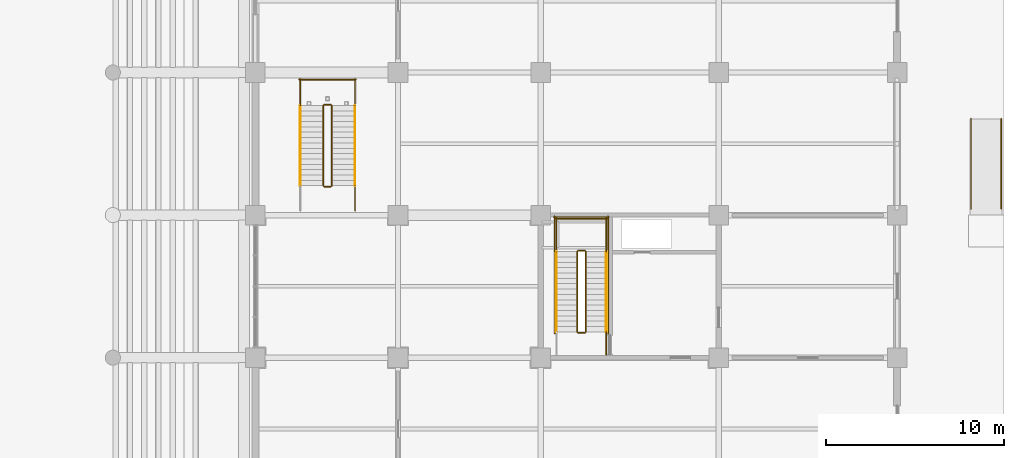
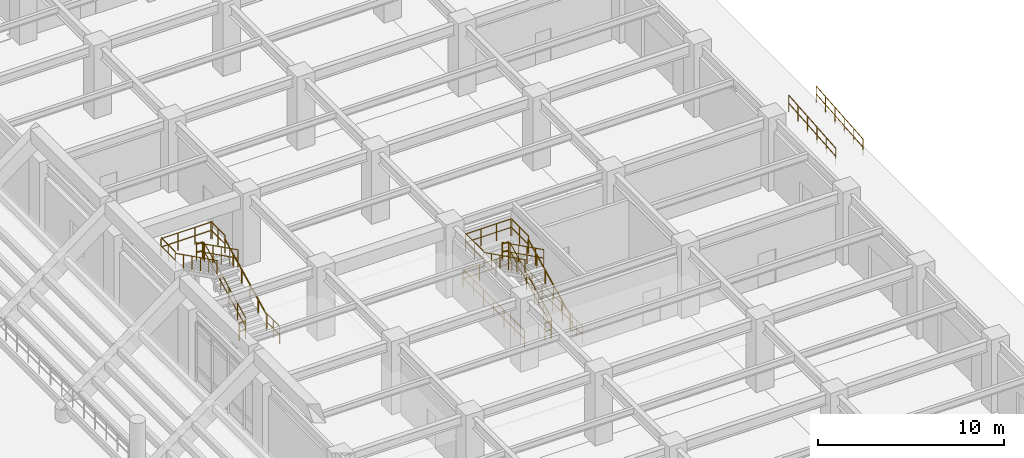
# One storey, part 119 of 125: 25 railings.
"""IFC4 building model written with IfcOpenShell, lengths in metres."""

from ifc_helpers import new_model, si_unit, direction, frame, origin, origin_2d, place, context, subcontext, project, spatial, circle, extrude, material, type_object, element, save


model = new_model("IFC4")

# Units and contexts
model_context = context("Model", 3, precision=1e-05, world=origin(), true_north=direction((0.0, 1.0)))
body_context = subcontext(model_context, "Body", "Model", "MODEL_VIEW")
ifc_project = project(units=[si_unit("LENGTHUNIT", "METRE"), si_unit("AREAUNIT", "SQUARE_METRE"), si_unit("VOLUMEUNIT", "CUBIC_METRE"), si_unit("PLANEANGLEUNIT", "RADIAN"), si_unit("MASSUNIT", "GRAM", prefix="KILO")], contexts=[model_context])

# Site, building, storey
site_placement = place(None, origin())
site = spatial("IfcSite", under=ifc_project, at=site_placement, CompositionType="ELEMENT")
building_placement = place(site_placement, origin())
building = spatial("IfcBuilding", under=site, at=building_placement, Name="Haebicheon Civic Stadium", CompositionType="ELEMENT")
storey_placement = place(building_placement, origin())
storey = spatial("IfcBuildingStorey", under=building, at=storey_placement, Name="L01", CompositionType="ELEMENT", Elevation=0.0)

# Railings
ifc_material_1 = material(Name="Stainless steel 316 and laminated glass", Category="steel")
railing_type_1 = type_object("IfcRailingType", Name="RL-BAL-1200", PredefinedType="BALUSTRADE", material=ifc_material_1)
for number, where, name in (
    (1, (240.14990234375, 112.360107421875, -0.419921875), "Ramp handrail guard RMP-05 L"),
    (2, (241.85009765625, 112.360107421875, -0.419921875), "Ramp handrail guard RMP-05 R"),
):
    element("IfcRailing", number, at=place(storey_placement, frame(where)), inside=storey, type_object=railing_type_1, material=ifc_material_1, Name=name, PredefinedType="BALUSTRADE", context=body_context, shape_type="SweptSolid", body=[
        extrude(circle(Radius=0.02392578125, at=origin_2d()), frame((0.0, 0.0, 1.076171875), z_axis=(0.0, 0.996546756972, 0.083033494259), x_axis=(-1.0, 0.0, 0.0)), (0.0, 0.0, 1.0), 5.057373046875),
        extrude(circle(Radius=0.02392578125, at=origin_2d()), frame((0.0, 0.0, 0.550048828125), z_axis=(0.0, 0.996546756972, 0.083033494259), x_axis=(-1.0, 0.0, 0.0)), (0.0, 0.0, 1.0), 5.057373046875),
        extrude(circle(Radius=0.02099609375, at=origin_2d()), origin(), (0.0, 0.0, 1.0), 1.052001953125),
        extrude(circle(Radius=0.02099609375, at=origin_2d()), frame((0.0, 1.008056640625, 0.083984375)), (0.0, 0.0, 1.0), 1.052001953125),
        extrude(circle(Radius=0.02099609375, at=origin_2d()), frame((0.0, 2.015869140625, 0.16796875)), (0.0, 0.0, 1.0), 1.052001953125),
        extrude(circle(Radius=0.02099609375, at=origin_2d()), frame((0.0, 3.02392578125, 0.251953125)), (0.0, 0.0, 1.0), 1.052001953125),
        extrude(circle(Radius=0.02099609375, at=origin_2d()), frame((0.0, 4.03173828125, 0.3359375)), (0.0, 0.0, 1.0), 1.052001953125),
        extrude(circle(Radius=0.02099609375, at=origin_2d()), frame((0.0, 5.039794921875, 0.419921875)), (0.0, 0.0, 1.0), 1.052001953125),
    ])
ifc_material_2 = material(Name="Galvanised painted steel SM355", Category="steel")
railing_type_2 = type_object("IfcRailingType", Name="RL-GRD-1150", PredefinedType="GUARDRAIL", material=ifc_material_2)
railing_1_placement = place(storey_placement, frame((218.530029296875, 105.449951171875, 0.14990234375)))
element("IfcRailing", 3, at=railing_1_placement, inside=storey, type_object=railing_type_2, material=ifc_material_2, Name="L01 ST-13 stair guard 1", PredefinedType="GUARDRAIL", context=body_context, shape_type="SweptSolid", body=[
    extrude(circle(Radius=0.02392578125, at=origin_2d()), frame((0.0, 0.0, 1.1259765625), z_axis=(0.0, 0.894427191, 0.4472135955), x_axis=(-1.0, 0.0, 0.0)), (0.0, 0.0, 1.0), 5.03125),
    extrude(circle(Radius=0.02392578125, at=origin_2d()), frame((0.0, 0.0, 0.574951171875), z_axis=(0.0, 0.894427191, 0.4472135955), x_axis=(-1.0, 0.0, 0.0)), (0.0, 0.0, 1.0), 5.03125),
    extrude(circle(Radius=0.02099609375, at=origin_2d()), origin(), (0.0, 0.0, 1.0), 1.101806640625),
    extrude(circle(Radius=0.02099609375, at=origin_2d()), frame((0.0, 0.89990234375, 0.449951171875)), (0.0, 0.0, 1.0), 1.101806640625),
    extrude(circle(Radius=0.02099609375, at=origin_2d()), frame((0.0, 1.800048828125, 0.89990234375)), (0.0, 0.0, 1.0), 1.101806640625),
    extrude(circle(Radius=0.02099609375, at=origin_2d()), frame((0.0, 2.699951171875, 1.35009765625)), (0.0, 0.0, 1.0), 1.101806640625),
    extrude(circle(Radius=0.02099609375, at=origin_2d()), frame((0.0, 3.60009765625, 1.800048828125)), (0.0, 0.0, 1.0), 1.101806640625),
    extrude(circle(Radius=0.02099609375, at=origin_2d()), frame((0.0, 4.5, 2.25)), (0.0, 0.0, 1.0), 1.101806640625),
])
railing_2_placement = place(storey_placement, frame((218.47998046875, 110.0, 2.39990234375)))
element("IfcRailing", 4, at=railing_2_placement, inside=storey, type_object=railing_type_2, material=ifc_material_2, Name="L01 ST-13 stair guard 2", PredefinedType="GUARDRAIL", context=body_context, shape_type="SweptSolid", body=[
    extrude(circle(Radius=0.02392578125, at=origin_2d()), frame((0.0, 0.0, 1.1259765625), z_axis=(-1.0, 0.0, 0.0), x_axis=(0.0, -1.0, 0.0)), (0.0, 0.0, 1.0), 0.3798828125),
    extrude(circle(Radius=0.02392578125, at=origin_2d()), frame((0.0, 0.0, 0.574951171875), z_axis=(-1.0, 0.0, 0.0), x_axis=(0.0, -1.0, 0.0)), (0.0, 0.0, 1.0), 0.3798828125),
    extrude(circle(Radius=0.02099609375, at=origin_2d()), origin(), (0.0, 0.0, 1.0), 1.101806640625),
    extrude(circle(Radius=0.02099609375, at=origin_2d()), frame((-0.3798828125, 0.0, 0.0)), (0.0, 0.0, 1.0), 1.101806640625),
])
for number, where, name in (
    (5, (219.68994140625, 109.949951171875, 2.39990234375), "L01 ST-13 stair guard 3"),
    (6, (216.889892578125, 109.949951171875, 2.39990234375), "L01 ST-13 stair guard 4"),
):
    element("IfcRailing", number, at=place(storey_placement, frame(where)), inside=storey, type_object=railing_type_2, material=ifc_material_2, Name=name, PredefinedType="GUARDRAIL", context=body_context, shape_type="SweptSolid", body=[
        extrude(circle(Radius=0.02392578125, at=origin_2d()), frame((0.0, 0.0, 1.1259765625), z_axis=(0.0, 1.0, 0.0), x_axis=(-1.0, 0.0, 0.0)), (0.0, 0.0, 1.0), 1.89013671875),
        extrude(circle(Radius=0.02392578125, at=origin_2d()), frame((0.0, 0.0, 0.574951171875), z_axis=(0.0, 1.0, 0.0), x_axis=(-1.0, 0.0, 0.0)), (0.0, 0.0, 1.0), 1.89013671875),
        extrude(circle(Radius=0.02099609375, at=origin_2d()), origin(), (0.0, 0.0, 1.0), 1.101806640625),
        extrude(circle(Radius=0.02099609375, at=origin_2d()), frame((0.0, 0.945068359375, 0.0)), (0.0, 0.0, 1.0), 1.101806640625),
        extrude(circle(Radius=0.02099609375, at=origin_2d()), frame((0.0, 1.89013671875, 0.0)), (0.0, 0.0, 1.0), 1.101806640625),
    ])
railing_3_placement = place(storey_placement, frame((219.739990234375, 111.7900390625, 2.39990234375)))
element("IfcRailing", 7, at=railing_3_placement, inside=storey, type_object=railing_type_2, material=ifc_material_2, Name="L01 ST-13 stair guard 5", PredefinedType="GUARDRAIL", context=body_context, shape_type="SweptSolid", body=[
    extrude(circle(Radius=0.02392578125, at=origin_2d()), frame((0.0, 0.0, 1.1259765625), z_axis=(-1.0, 0.0, 0.0), x_axis=(0.0, -1.0, 0.0)), (0.0, 0.0, 1.0), 2.89990234375),
    extrude(circle(Radius=0.02392578125, at=origin_2d()), frame((0.0, 0.0, 0.574951171875), z_axis=(-1.0, 0.0, 0.0), x_axis=(0.0, -1.0, 0.0)), (0.0, 0.0, 1.0), 2.89990234375),
    extrude(circle(Radius=0.02099609375, at=origin_2d()), origin(), (0.0, 0.0, 1.0), 1.101806640625),
    extrude(circle(Radius=0.02099609375, at=origin_2d()), frame((-0.966552734375, 0.0, 0.0)), (0.0, 0.0, 1.0), 1.101806640625),
    extrude(circle(Radius=0.02099609375, at=origin_2d()), frame((-1.933349609375, 0.0, 0.0)), (0.0, 0.0, 1.0), 1.101806640625),
    extrude(circle(Radius=0.02099609375, at=origin_2d()), frame((-2.89990234375, 0.0, 0.0)), (0.0, 0.0, 1.0), 1.101806640625),
])
railing_4_placement = place(storey_placement, frame((218.050048828125, 109.949951171875, 2.550048828125)))
element("IfcRailing", 8, at=railing_4_placement, inside=storey, type_object=railing_type_2, material=ifc_material_2, Name="L01 ST-13 stair guard 6", PredefinedType="GUARDRAIL", context=body_context, shape_type="SweptSolid", body=[
    extrude(circle(Radius=0.02392578125, at=origin_2d()), frame((0.0, 0.0, 1.1259765625), z_axis=(0.0, -0.894427191, 0.4472135955), x_axis=(1.0, 0.0, 0.0)), (0.0, 0.0, 1.0), 5.03125),
    extrude(circle(Radius=0.02392578125, at=origin_2d()), frame((0.0, 0.0, 0.574951171875), z_axis=(0.0, -0.894427191, 0.4472135955), x_axis=(1.0, 0.0, 0.0)), (0.0, 0.0, 1.0), 5.03125),
    extrude(circle(Radius=0.02099609375, at=origin_2d()), origin(), (0.0, 0.0, 1.0), 1.101806640625),
    extrude(circle(Radius=0.02099609375, at=origin_2d()), frame((0.0, -0.89990234375, 0.449951171875)), (0.0, 0.0, 1.0), 1.101806640625),
    extrude(circle(Radius=0.02099609375, at=origin_2d()), frame((0.0, -1.800048828125, 0.89990234375)), (0.0, 0.0, 1.0), 1.101806640625),
    extrude(circle(Radius=0.02099609375, at=origin_2d()), frame((0.0, -2.699951171875, 1.35009765625)), (0.0, 0.0, 1.0), 1.101806640625),
    extrude(circle(Radius=0.02099609375, at=origin_2d()), frame((0.0, -3.60009765625, 1.800048828125)), (0.0, 0.0, 1.0), 1.101806640625),
    extrude(circle(Radius=0.02099609375, at=origin_2d()), frame((0.0, -4.5, 2.25)), (0.0, 0.0, 1.0), 1.101806640625),
])
railing_5_placement = place(storey_placement, frame((218.47998046875, 105.39990234375, 0.0)))
element("IfcRailing", 9, at=railing_5_placement, inside=storey, type_object=railing_type_2, material=ifc_material_2, Name="L01 ST-13 stair guard 7", PredefinedType="GUARDRAIL", context=body_context, shape_type="SweptSolid", body=[
    extrude(circle(Radius=0.02392578125, at=origin_2d()), frame((0.0, 0.0, 1.1259765625), z_axis=(-1.0, 0.0, 0.0), x_axis=(0.0, -1.0, 0.0)), (0.0, 0.0, 1.0), 0.3798828125),
    extrude(circle(Radius=0.02392578125, at=origin_2d()), frame((0.0, 0.0, 0.574951171875), z_axis=(-1.0, 0.0, 0.0), x_axis=(0.0, -1.0, 0.0)), (0.0, 0.0, 1.0), 0.3798828125),
    extrude(circle(Radius=0.02099609375, at=origin_2d()), origin(), (0.0, 0.0, 1.0), 1.101806640625),
    extrude(circle(Radius=0.02099609375, at=origin_2d()), frame((-0.3798828125, 0.0, 0.0)), (0.0, 0.0, 1.0), 1.101806640625),
])
railing_6_placement = place(storey_placement, frame((219.68994140625, 104.159912109375, 0.0)))
element("IfcRailing", 10, at=railing_6_placement, inside=storey, type_object=railing_type_2, material=ifc_material_2, Name="L01 ST-13 stair guard 8", PredefinedType="GUARDRAIL", context=body_context, shape_type="SweptSolid", body=[
    extrude(circle(Radius=0.02392578125, at=origin_2d()), frame((0.0, 0.0, 1.1259765625), z_axis=(0.0, 1.0, 0.0), x_axis=(-1.0, 0.0, 0.0)), (0.0, 0.0, 1.0), 1.2900390625),
    extrude(circle(Radius=0.02392578125, at=origin_2d()), frame((0.0, 0.0, 0.574951171875), z_axis=(0.0, 1.0, 0.0), x_axis=(-1.0, 0.0, 0.0)), (0.0, 0.0, 1.0), 1.2900390625),
    extrude(circle(Radius=0.02099609375, at=origin_2d()), origin(), (0.0, 0.0, 1.0), 1.101806640625),
    extrude(circle(Radius=0.02099609375, at=origin_2d()), frame((0.0, 0.64501953125, 0.0)), (0.0, 0.0, 1.0), 1.101806640625),
    extrude(circle(Radius=0.02099609375, at=origin_2d()), frame((0.0, 1.2900390625, 0.0)), (0.0, 0.0, 1.0), 1.101806640625),
])
for number, where, name in (
    (11, (219.7900390625, 105.35009765625, 0.0), "L01 ST-13 stair guard 10"),
    (12, (216.7900390625, 105.35009765625, 0.0), "L01 ST-13 stair guard 11"),
):
    element("IfcRailing", number, at=place(storey_placement, frame(where)), inside=storey, type_object=railing_type_2, material=ifc_material_2, Name=name, PredefinedType="GUARDRAIL", context=body_context, shape_type="SweptSolid", body=[
        extrude(circle(Radius=0.02392578125, at=origin_2d()), frame((0.0, 0.0, 1.1259765625), z_axis=(0.0, 1.0, 0.0), x_axis=(-1.0, 0.0, 0.0)), (0.0, 0.0, 1.0), 6.58984375),
        extrude(circle(Radius=0.02392578125, at=origin_2d()), frame((0.0, 0.0, 0.574951171875), z_axis=(0.0, 1.0, 0.0), x_axis=(-1.0, 0.0, 0.0)), (0.0, 0.0, 1.0), 6.58984375),
        extrude(circle(Radius=0.02099609375, at=origin_2d()), origin(), (0.0, 0.0, 1.0), 1.101806640625),
        extrude(circle(Radius=0.02099609375, at=origin_2d()), frame((0.0, 1.098388671875, 0.0)), (0.0, 0.0, 1.0), 1.101806640625),
        extrude(circle(Radius=0.02099609375, at=origin_2d()), frame((0.0, 2.196533203125, 0.0)), (0.0, 0.0, 1.0), 1.101806640625),
        extrude(circle(Radius=0.02099609375, at=origin_2d()), frame((0.0, 3.294921875, 0.0)), (0.0, 0.0, 1.0), 1.101806640625),
        extrude(circle(Radius=0.02099609375, at=origin_2d()), frame((0.0, 4.393310546875, 0.0)), (0.0, 0.0, 1.0), 1.101806640625),
        extrude(circle(Radius=0.02099609375, at=origin_2d()), frame((0.0, 5.491455078125, 0.0)), (0.0, 0.0, 1.0), 1.101806640625),
        extrude(circle(Radius=0.02099609375, at=origin_2d()), frame((0.0, 6.58984375, 0.0)), (0.0, 0.0, 1.0), 1.101806640625),
    ])
railing_7_placement = place(storey_placement, frame((219.840087890625, 111.889892578125, 0.0)))
element("IfcRailing", 13, at=railing_7_placement, inside=storey, type_object=railing_type_2, material=ifc_material_2, Name="L01 ST-13 stair guard 12", PredefinedType="GUARDRAIL", context=body_context, shape_type="SweptSolid", body=[
    extrude(circle(Radius=0.02392578125, at=origin_2d()), frame((0.0, 0.0, 1.1259765625), z_axis=(-1.0, 0.0, 0.0), x_axis=(0.0, -1.0, 0.0)), (0.0, 0.0, 1.0), 3.10009765625),
    extrude(circle(Radius=0.02392578125, at=origin_2d()), frame((0.0, 0.0, 0.574951171875), z_axis=(-1.0, 0.0, 0.0), x_axis=(0.0, -1.0, 0.0)), (0.0, 0.0, 1.0), 3.10009765625),
    extrude(circle(Radius=0.02099609375, at=origin_2d()), origin(), (0.0, 0.0, 1.0), 1.101806640625),
    extrude(circle(Radius=0.02099609375, at=origin_2d()), frame((-1.033447265625, 0.0, 0.0)), (0.0, 0.0, 1.0), 1.101806640625),
    extrude(circle(Radius=0.02099609375, at=origin_2d()), frame((-2.066650390625, 0.0, 0.0)), (0.0, 0.0, 1.0), 1.101806640625),
    extrude(circle(Radius=0.02099609375, at=origin_2d()), frame((-3.10009765625, 0.0, 0.0)), (0.0, 0.0, 1.0), 1.101806640625),
])
railing_8_placement = place(storey_placement, frame((204.2900390625, 113.64990234375, 0.14990234375)))
element("IfcRailing", 14, at=railing_8_placement, inside=storey, type_object=railing_type_2, material=ifc_material_2, Name="L01 VM-12 stair guard 1", PredefinedType="GUARDRAIL", context=body_context, shape_type="SweptSolid", body=[
    extrude(circle(Radius=0.02392578125, at=origin_2d()), frame((0.0, 0.0, 1.1259765625), z_axis=(0.0, 0.894427191, 0.4472135955), x_axis=(-1.0, 0.0, 0.0)), (0.0, 0.0, 1.0), 5.03125),
    extrude(circle(Radius=0.02392578125, at=origin_2d()), frame((0.0, 0.0, 0.574951171875), z_axis=(0.0, 0.894427191, 0.4472135955), x_axis=(-1.0, 0.0, 0.0)), (0.0, 0.0, 1.0), 5.03125),
    extrude(circle(Radius=0.02099609375, at=origin_2d()), origin(), (0.0, 0.0, 1.0), 1.101806640625),
    extrude(circle(Radius=0.02099609375, at=origin_2d()), frame((0.0, 0.89990234375, 0.449951171875)), (0.0, 0.0, 1.0), 1.101806640625),
    extrude(circle(Radius=0.02099609375, at=origin_2d()), frame((0.0, 1.800048828125, 0.89990234375)), (0.0, 0.0, 1.0), 1.101806640625),
    extrude(circle(Radius=0.02099609375, at=origin_2d()), frame((0.0, 2.699951171875, 1.35009765625)), (0.0, 0.0, 1.0), 1.101806640625),
    extrude(circle(Radius=0.02099609375, at=origin_2d()), frame((0.0, 3.60009765625, 1.800048828125)), (0.0, 0.0, 1.0), 1.101806640625),
    extrude(circle(Radius=0.02099609375, at=origin_2d()), frame((0.0, 4.5, 2.25)), (0.0, 0.0, 1.0), 1.101806640625),
])
railing_9_placement = place(storey_placement, frame((204.239990234375, 118.199951171875, 2.39990234375)))
element("IfcRailing", 15, at=railing_9_placement, inside=storey, type_object=railing_type_2, material=ifc_material_2, Name="L01 VM-12 stair guard 2", PredefinedType="GUARDRAIL", context=body_context, shape_type="SweptSolid", body=[
    extrude(circle(Radius=0.02392578125, at=origin_2d()), frame((0.0, 0.0, 1.1259765625), z_axis=(-1.0, 0.0, 0.0), x_axis=(0.0, -1.0, 0.0)), (0.0, 0.0, 1.0), 0.3798828125),
    extrude(circle(Radius=0.02392578125, at=origin_2d()), frame((0.0, 0.0, 0.574951171875), z_axis=(-1.0, 0.0, 0.0), x_axis=(0.0, -1.0, 0.0)), (0.0, 0.0, 1.0), 0.3798828125),
    extrude(circle(Radius=0.02099609375, at=origin_2d()), origin(), (0.0, 0.0, 1.0), 1.101806640625),
    extrude(circle(Radius=0.02099609375, at=origin_2d()), frame((-0.3798828125, 0.0, 0.0)), (0.0, 0.0, 1.0), 1.101806640625),
])
for number, where, name in (
    (16, (205.590087890625, 118.14990234375, 2.39990234375), "L01 VM-12 stair guard 3"),
    (17, (202.510009765625, 118.14990234375, 2.39990234375), "L01 VM-12 stair guard 4"),
):
    element("IfcRailing", number, at=place(storey_placement, frame(where)), inside=storey, type_object=railing_type_2, material=ifc_material_2, Name=name, PredefinedType="GUARDRAIL", context=body_context, shape_type="SweptSolid", body=[
        extrude(circle(Radius=0.02392578125, at=origin_2d()), frame((0.0, 0.0, 1.1259765625), z_axis=(0.0, 1.0, 0.0), x_axis=(-1.0, 0.0, 0.0)), (0.0, 0.0, 1.0), 1.5),
        extrude(circle(Radius=0.02392578125, at=origin_2d()), frame((0.0, 0.0, 0.574951171875), z_axis=(0.0, 1.0, 0.0), x_axis=(-1.0, 0.0, 0.0)), (0.0, 0.0, 1.0), 1.5),
        extrude(circle(Radius=0.02099609375, at=origin_2d()), origin(), (0.0, 0.0, 1.0), 1.101806640625),
        extrude(circle(Radius=0.02099609375, at=origin_2d()), frame((0.0, 0.75, 0.0)), (0.0, 0.0, 1.0), 1.101806640625),
        extrude(circle(Radius=0.02099609375, at=origin_2d()), frame((0.0, 1.5, 0.0)), (0.0, 0.0, 1.0), 1.101806640625),
    ])
railing_10_placement = place(storey_placement, frame((205.639892578125, 119.60009765625, 2.39990234375)))
element("IfcRailing", 18, at=railing_10_placement, inside=storey, type_object=railing_type_2, material=ifc_material_2, Name="L01 VM-12 stair guard 5", PredefinedType="GUARDRAIL", context=body_context, shape_type="SweptSolid", body=[
    extrude(circle(Radius=0.02392578125, at=origin_2d()), frame((0.0, 0.0, 1.1259765625), z_axis=(-1.0, 0.0, 0.0), x_axis=(0.0, -1.0, 0.0)), (0.0, 0.0, 1.0), 3.179931640625),
    extrude(circle(Radius=0.02392578125, at=origin_2d()), frame((0.0, 0.0, 0.574951171875), z_axis=(-1.0, 0.0, 0.0), x_axis=(0.0, -1.0, 0.0)), (0.0, 0.0, 1.0), 3.179931640625),
    extrude(circle(Radius=0.02099609375, at=origin_2d()), origin(), (0.0, 0.0, 1.0), 1.101806640625),
    extrude(circle(Radius=0.02099609375, at=origin_2d()), frame((-1.06005859375, 0.0, 0.0)), (0.0, 0.0, 1.0), 1.101806640625),
    extrude(circle(Radius=0.02099609375, at=origin_2d()), frame((-2.119873046875, 0.0, 0.0)), (0.0, 0.0, 1.0), 1.101806640625),
    extrude(circle(Radius=0.02099609375, at=origin_2d()), frame((-3.179931640625, 0.0, 0.0)), (0.0, 0.0, 1.0), 1.101806640625),
])
railing_11_placement = place(storey_placement, frame((203.81005859375, 118.14990234375, 2.550048828125)))
element("IfcRailing", 19, at=railing_11_placement, inside=storey, type_object=railing_type_2, material=ifc_material_2, Name="L01 VM-12 stair guard 6", PredefinedType="GUARDRAIL", context=body_context, shape_type="SweptSolid", body=[
    extrude(circle(Radius=0.02392578125, at=origin_2d()), frame((0.0, 0.0, 1.1259765625), z_axis=(0.0, -0.894427191, 0.4472135955), x_axis=(1.0, 0.0, 0.0)), (0.0, 0.0, 1.0), 5.03125),
    extrude(circle(Radius=0.02392578125, at=origin_2d()), frame((0.0, 0.0, 0.574951171875), z_axis=(0.0, -0.894427191, 0.4472135955), x_axis=(1.0, 0.0, 0.0)), (0.0, 0.0, 1.0), 5.03125),
    extrude(circle(Radius=0.02099609375, at=origin_2d()), origin(), (0.0, 0.0, 1.0), 1.101806640625),
    extrude(circle(Radius=0.02099609375, at=origin_2d()), frame((0.0, -0.89990234375, 0.449951171875)), (0.0, 0.0, 1.0), 1.101806640625),
    extrude(circle(Radius=0.02099609375, at=origin_2d()), frame((0.0, -1.800048828125, 0.89990234375)), (0.0, 0.0, 1.0), 1.101806640625),
    extrude(circle(Radius=0.02099609375, at=origin_2d()), frame((0.0, -2.699951171875, 1.35009765625)), (0.0, 0.0, 1.0), 1.101806640625),
    extrude(circle(Radius=0.02099609375, at=origin_2d()), frame((0.0, -3.60009765625, 1.800048828125)), (0.0, 0.0, 1.0), 1.101806640625),
    extrude(circle(Radius=0.02099609375, at=origin_2d()), frame((0.0, -4.5, 2.25)), (0.0, 0.0, 1.0), 1.101806640625),
])
railing_12_placement = place(storey_placement, frame((204.239990234375, 113.60009765625, 0.0)))
element("IfcRailing", 20, at=railing_12_placement, inside=storey, type_object=railing_type_2, material=ifc_material_2, Name="L01 VM-12 stair guard 7", PredefinedType="GUARDRAIL", context=body_context, shape_type="SweptSolid", body=[
    extrude(circle(Radius=0.02392578125, at=origin_2d()), frame((0.0, 0.0, 1.1259765625), z_axis=(-1.0, 0.0, 0.0), x_axis=(0.0, -1.0, 0.0)), (0.0, 0.0, 1.0), 0.3798828125),
    extrude(circle(Radius=0.02392578125, at=origin_2d()), frame((0.0, 0.0, 0.574951171875), z_axis=(-1.0, 0.0, 0.0), x_axis=(0.0, -1.0, 0.0)), (0.0, 0.0, 1.0), 0.3798828125),
    extrude(circle(Radius=0.02099609375, at=origin_2d()), origin(), (0.0, 0.0, 1.0), 1.101806640625),
    extrude(circle(Radius=0.02099609375, at=origin_2d()), frame((-0.3798828125, 0.0, 0.0)), (0.0, 0.0, 1.0), 1.101806640625),
])
railing_13_placement = place(storey_placement, frame((205.590087890625, 112.25, 0.0)))
element("IfcRailing", 21, at=railing_13_placement, inside=storey, type_object=railing_type_2, material=ifc_material_2, Name="L01 VM-12 stair guard 8", PredefinedType="GUARDRAIL", context=body_context, shape_type="SweptSolid", body=[
    extrude(circle(Radius=0.02392578125, at=origin_2d()), frame((0.0, 0.0, 1.1259765625), z_axis=(0.0, 1.0, 0.0), x_axis=(-1.0, 0.0, 0.0)), (0.0, 0.0, 1.0), 1.39990234375),
    extrude(circle(Radius=0.02392578125, at=origin_2d()), frame((0.0, 0.0, 0.574951171875), z_axis=(0.0, 1.0, 0.0), x_axis=(-1.0, 0.0, 0.0)), (0.0, 0.0, 1.0), 1.39990234375),
    extrude(circle(Radius=0.02099609375, at=origin_2d()), origin(), (0.0, 0.0, 1.0), 1.101806640625),
    extrude(circle(Radius=0.02099609375, at=origin_2d()), frame((0.0, 0.699951171875, 0.0)), (0.0, 0.0, 1.0), 1.101806640625),
    extrude(circle(Radius=0.02099609375, at=origin_2d()), frame((0.0, 1.39990234375, 0.0)), (0.0, 0.0, 1.0), 1.101806640625),
])
ifc_material_3 = material(Name="Stainless steel 316", Category="steel")
railing_type_3 = type_object("IfcRailingType", Name="RL-HND-900", PredefinedType="HANDRAIL", material=ifc_material_3)
railing_14_placement = place(storey_placement, frame((219.68994140625, 105.449951171875, 0.14990234375)))
element("IfcRailing", 22, at=railing_14_placement, inside=storey, type_object=railing_type_3, material=ifc_material_3, Name="L01 ST-13 stair handrail 1", PredefinedType="HANDRAIL", context=body_context, shape_type="SweptSolid", body=[
    extrude(circle(Radius=0.02392578125, at=origin_2d()), frame((0.0, 0.0, 0.8759765625), z_axis=(0.0, 0.894427191, 0.4472135955), x_axis=(-1.0, 0.0, 0.0)), (0.0, 0.0, 1.0), 5.03125),
    extrude(circle(Radius=0.02099609375, at=origin_2d()), origin(), (0.0, 0.0, 1.0), 0.851806640625),
    extrude(circle(Radius=0.02099609375, at=origin_2d()), frame((0.0, 0.89990234375, 0.449951171875)), (0.0, 0.0, 1.0), 0.851806640625),
    extrude(circle(Radius=0.02099609375, at=origin_2d()), frame((0.0, 1.800048828125, 0.89990234375)), (0.0, 0.0, 1.0), 0.851806640625),
    extrude(circle(Radius=0.02099609375, at=origin_2d()), frame((0.0, 2.699951171875, 1.35009765625)), (0.0, 0.0, 1.0), 0.851806640625),
    extrude(circle(Radius=0.02099609375, at=origin_2d()), frame((0.0, 3.60009765625, 1.800048828125)), (0.0, 0.0, 1.0), 0.851806640625),
    extrude(circle(Radius=0.02099609375, at=origin_2d()), frame((0.0, 4.5, 2.25)), (0.0, 0.0, 1.0), 0.851806640625),
])
railing_15_placement = place(storey_placement, frame((216.889892578125, 109.949951171875, 2.550048828125)))
element("IfcRailing", 23, at=railing_15_placement, inside=storey, type_object=railing_type_3, material=ifc_material_3, Name="L01 ST-13 stair handrail 2", PredefinedType="HANDRAIL", context=body_context, shape_type="SweptSolid", body=[
    extrude(circle(Radius=0.02392578125, at=origin_2d()), frame((0.0, 0.0, 0.8759765625), z_axis=(0.0, -0.894427191, 0.4472135955), x_axis=(1.0, 0.0, 0.0)), (0.0, 0.0, 1.0), 5.03125),
    extrude(circle(Radius=0.02099609375, at=origin_2d()), origin(), (0.0, 0.0, 1.0), 0.851806640625),
    extrude(circle(Radius=0.02099609375, at=origin_2d()), frame((0.0, -0.89990234375, 0.449951171875)), (0.0, 0.0, 1.0), 0.851806640625),
    extrude(circle(Radius=0.02099609375, at=origin_2d()), frame((0.0, -1.800048828125, 0.89990234375)), (0.0, 0.0, 1.0), 0.851806640625),
    extrude(circle(Radius=0.02099609375, at=origin_2d()), frame((0.0, -2.699951171875, 1.35009765625)), (0.0, 0.0, 1.0), 0.851806640625),
    extrude(circle(Radius=0.02099609375, at=origin_2d()), frame((0.0, -3.60009765625, 1.800048828125)), (0.0, 0.0, 1.0), 0.851806640625),
    extrude(circle(Radius=0.02099609375, at=origin_2d()), frame((0.0, -4.5, 2.25)), (0.0, 0.0, 1.0), 0.851806640625),
])
railing_16_placement = place(storey_placement, frame((205.590087890625, 113.64990234375, 0.14990234375)))
element("IfcRailing", 24, at=railing_16_placement, inside=storey, type_object=railing_type_3, material=ifc_material_3, Name="L01 VM-12 stair handrail 1", PredefinedType="HANDRAIL", context=body_context, shape_type="SweptSolid", body=[
    extrude(circle(Radius=0.02392578125, at=origin_2d()), frame((0.0, 0.0, 0.8759765625), z_axis=(0.0, 0.894427191, 0.4472135955), x_axis=(-1.0, 0.0, 0.0)), (0.0, 0.0, 1.0), 5.03125),
    extrude(circle(Radius=0.02099609375, at=origin_2d()), origin(), (0.0, 0.0, 1.0), 0.851806640625),
    extrude(circle(Radius=0.02099609375, at=origin_2d()), frame((0.0, 0.89990234375, 0.449951171875)), (0.0, 0.0, 1.0), 0.851806640625),
    extrude(circle(Radius=0.02099609375, at=origin_2d()), frame((0.0, 1.800048828125, 0.89990234375)), (0.0, 0.0, 1.0), 0.851806640625),
    extrude(circle(Radius=0.02099609375, at=origin_2d()), frame((0.0, 2.699951171875, 1.35009765625)), (0.0, 0.0, 1.0), 0.851806640625),
    extrude(circle(Radius=0.02099609375, at=origin_2d()), frame((0.0, 3.60009765625, 1.800048828125)), (0.0, 0.0, 1.0), 0.851806640625),
    extrude(circle(Radius=0.02099609375, at=origin_2d()), frame((0.0, 4.5, 2.25)), (0.0, 0.0, 1.0), 0.851806640625),
])
railing_17_placement = place(storey_placement, frame((202.510009765625, 118.14990234375, 2.550048828125)))
element("IfcRailing", 25, at=railing_17_placement, inside=storey, type_object=railing_type_3, material=ifc_material_3, Name="L01 VM-12 stair handrail 2", PredefinedType="HANDRAIL", context=body_context, shape_type="SweptSolid", body=[
    extrude(circle(Radius=0.02392578125, at=origin_2d()), frame((0.0, 0.0, 0.8759765625), z_axis=(0.0, -0.894427191, 0.4472135955), x_axis=(1.0, 0.0, 0.0)), (0.0, 0.0, 1.0), 5.03125),
    extrude(circle(Radius=0.02099609375, at=origin_2d()), origin(), (0.0, 0.0, 1.0), 0.851806640625),
    extrude(circle(Radius=0.02099609375, at=origin_2d()), frame((0.0, -0.89990234375, 0.449951171875)), (0.0, 0.0, 1.0), 0.851806640625),
    extrude(circle(Radius=0.02099609375, at=origin_2d()), frame((0.0, -1.800048828125, 0.89990234375)), (0.0, 0.0, 1.0), 0.851806640625),
    extrude(circle(Radius=0.02099609375, at=origin_2d()), frame((0.0, -2.699951171875, 1.35009765625)), (0.0, 0.0, 1.0), 0.851806640625),
    extrude(circle(Radius=0.02099609375, at=origin_2d()), frame((0.0, -3.60009765625, 1.800048828125)), (0.0, 0.0, 1.0), 0.851806640625),
    extrude(circle(Radius=0.02099609375, at=origin_2d()), frame((0.0, -4.5, 2.25)), (0.0, 0.0, 1.0), 0.851806640625),
])

save(model, "model.ifc")
